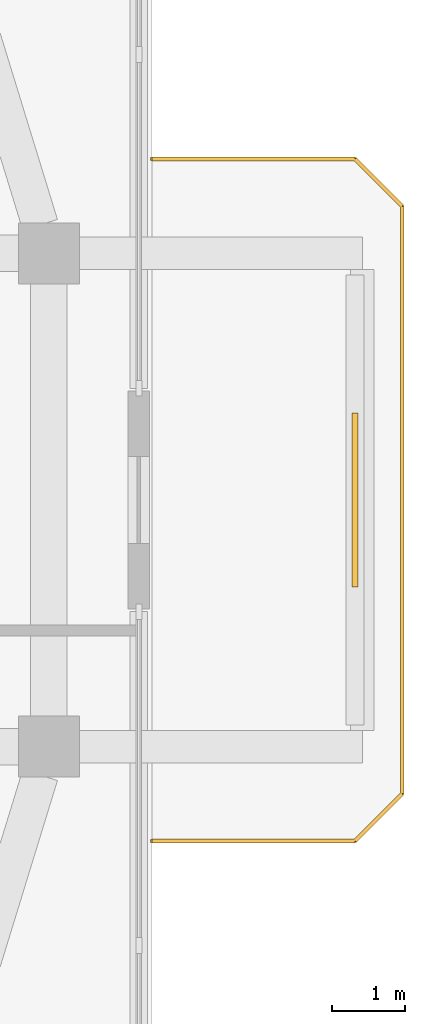
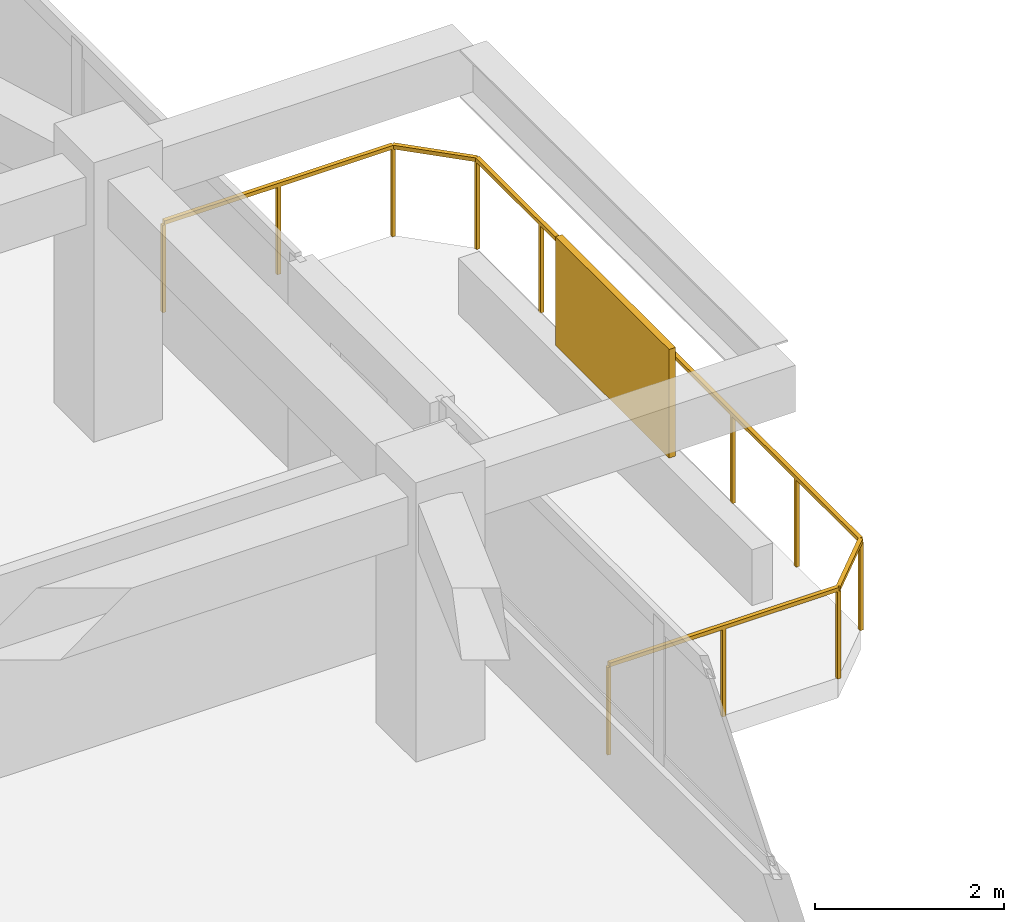
# One storey, part 13 of 13: 1 railing, 1 shading device.
"""IFC4 building model written with IfcOpenShell, lengths in metres."""

from ifc_helpers import new_model, si_unit, derived_unit, direction, frame, origin, origin_2d, place, context, subcontext, project, spatial, rectangle, extrude, material, layer, layer_set, type_object, element, save


model = new_model("IFC4")

# Units and contexts
model_context = context("Model", 3, precision=1e-05, world=origin(), true_north=direction((0.0, 1.0)))
body_context = subcontext(model_context, "Body", "Model", "MODEL_VIEW")
ifc_project = project(units=[si_unit("LENGTHUNIT", "METRE"), si_unit("AREAUNIT", "SQUARE_METRE"), si_unit("VOLUMEUNIT", "CUBIC_METRE"), si_unit("PLANEANGLEUNIT", "RADIAN"), si_unit("MASSUNIT", "GRAM", prefix="KILO"), derived_unit("THERMALTRANSMITTANCEUNIT", [(si_unit("POWERUNIT", "WATT"), 1), (si_unit("LENGTHUNIT", "METRE"), -2), (si_unit("THERMODYNAMICTEMPERATUREUNIT", "KELVIN"), -1)])], contexts=[model_context])

# Site, building, storey
site_placement = place(None, origin())
site = spatial("IfcSite", under=ifc_project, at=site_placement, CompositionType="ELEMENT")
building_placement = place(site_placement, origin())
building = spatial("IfcBuilding", under=site, at=building_placement, Name="Koralith Skygarden Medical Center", CompositionType="ELEMENT")
storey_placement = place(building_placement, frame((0.0, 0.0, 271.6201171875)))
storey = spatial("IfcBuildingStorey", under=building, at=storey_placement, Name="L70", CompositionType="ELEMENT", Elevation=271.6201171875)

# Railing
ifc_material_1 = material(Name="Steel ASTM A500 Grade C", Category="steel")
railing_type = type_object("IfcRailingType", Name="Outdoor Terrace & Balcony Safety Guardrail 1180", PredefinedType="GUARDRAIL", material=ifc_material_1)
railing_placement = place(storey_placement, frame((61.89990234375, 21.199951171875, 0.0)))
element("IfcRailing", 1, at=railing_placement, inside=storey, type_object=railing_type, Name="L70 E Balcony Perimeter Guardrail", PredefinedType="GUARDRAIL", context=body_context, shape_type="SweptSolid", body=[
    extrude(rectangle(XDim=0.050048828125, YDim=0.050048828125, at=origin_2d()), frame((0.001953125, 0.0, 1.15478515625), z_axis=(1.0, 0.0, 0.0), x_axis=(0.0, 1.0, 0.0)), (0.0, 0.0, 1.0), 2.796142578125),
    extrude(rectangle(XDim=0.050048828125, YDim=0.050048828125, at=origin_2d()), frame((2.801513671875, 0.00146484375, 1.15478515625), z_axis=(0.707106781187, 0.707106781187, 0.0), x_axis=(-0.707106781187, 0.707106781187, 0.0)), (0.0, 0.0, 1.0), 0.91552734375),
    extrude(rectangle(XDim=0.050048828125, YDim=0.050048828125, at=origin_2d()), frame((3.4501953125, 0.652099609375, 1.15478515625), z_axis=(0.0, 1.0, 0.0), x_axis=(-1.0, 0.0, 0.0)), (0.0, 0.0, 1.0), 8.095947265625),
    extrude(rectangle(XDim=0.050048828125, YDim=0.050048828125, at=origin_2d()), frame((3.44873046875, 8.75146484375, 1.15478515625), z_axis=(-0.707106781187, 0.707106781187, 0.0), x_axis=(-0.707106781187, -0.707106781187, 0.0)), (0.0, 0.0, 1.0), 0.91552734375),
    extrude(rectangle(XDim=0.050048828125, YDim=0.050048828125, at=origin_2d()), frame((2.798095703125, 9.400146484375, 1.15478515625), z_axis=(-1.0, 0.0, 0.0), x_axis=(0.0, -1.0, 0.0)), (0.0, 0.0, 1.0), 2.796142578125),
    extrude(rectangle(XDim=0.0419921875, YDim=0.0419921875, at=origin_2d()), origin(), (0.0, 0.0, 1.0), 1.1279296875),
    extrude(rectangle(XDim=0.0419921875, YDim=0.0419921875, at=origin_2d()), frame((1.39990234375, 0.0, 0.0)), (0.0, 0.0, 1.0), 1.1279296875),
    extrude(rectangle(XDim=0.0419921875, YDim=0.0419921875, at=origin_2d()), frame((2.800048828125, 0.0, 0.0)), (0.0, 0.0, 1.0), 1.1279296875),
    extrude(rectangle(XDim=0.0419921875, YDim=0.0419921875, at=origin_2d()), frame((3.4501953125, 0.650146484375, 0.0)), (0.0, 0.0, 1.0), 1.1279296875),
    extrude(rectangle(XDim=0.0419921875, YDim=0.0419921875, at=origin_2d()), frame((3.4501953125, 2.0, 0.0)), (0.0, 0.0, 1.0), 1.1279296875),
    extrude(rectangle(XDim=0.0419921875, YDim=0.0419921875, at=origin_2d()), frame((3.4501953125, 3.35009765625, 0.0)), (0.0, 0.0, 1.0), 1.1279296875),
    extrude(rectangle(XDim=0.0419921875, YDim=0.0419921875, at=origin_2d()), frame((3.4501953125, 4.7001953125, 0.0)), (0.0, 0.0, 1.0), 1.1279296875),
    extrude(rectangle(XDim=0.0419921875, YDim=0.0419921875, at=origin_2d()), frame((3.4501953125, 6.050048828125, 0.0)), (0.0, 0.0, 1.0), 1.1279296875),
    extrude(rectangle(XDim=0.0419921875, YDim=0.0419921875, at=origin_2d()), frame((3.4501953125, 7.39990234375, 0.0)), (0.0, 0.0, 1.0), 1.1279296875),
    extrude(rectangle(XDim=0.0419921875, YDim=0.0419921875, at=origin_2d()), frame((3.4501953125, 8.75, 0.0)), (0.0, 0.0, 1.0), 1.1279296875),
    extrude(rectangle(XDim=0.0419921875, YDim=0.0419921875, at=origin_2d()), frame((2.800048828125, 9.400146484375, 0.0)), (0.0, 0.0, 1.0), 1.1279296875),
    extrude(rectangle(XDim=0.0419921875, YDim=0.0419921875, at=origin_2d()), frame((1.39990234375, 9.400146484375, 0.0)), (0.0, 0.0, 1.0), 1.1279296875),
    extrude(rectangle(XDim=0.0419921875, YDim=0.0419921875, at=origin_2d()), frame((0.0, 9.400146484375, 0.0)), (0.0, 0.0, 1.0), 1.1279296875),
])

# Shading device
ifc_material_2 = material(Name="Aluminium 6063-T6", Category="aluminium")
ifc_layer = layer(ifc_material_2, 0.080078125)
ifc_layer_set = layer_set([ifc_layer], Name="Aluminium 6063-T6")
shading_device_type = type_object("IfcShadingDeviceType", Name="Perforated Biophilic Balcony Trellis Screen", PredefinedType="USERDEFINED", material=ifc_layer_set)
shading_device_placement = place(storey_placement, frame((64.699951171875, 25.89990234375, 0.719970703125), z_axis=(0.0, 0.0, 1.0), x_axis=(0.0, 1.0, 0.0)))
element("IfcShadingDevice", 2, at=shading_device_placement, inside=storey, type_object=shading_device_type, Name="L70 E Biophilic Balcony Trellis Screen", ObjectType="HURRICANE SCREEN", PredefinedType="USERDEFINED", context=body_context, shape_type="SweptSolid", body=[
    extrude(rectangle(XDim=2.39990234375, YDim=0.080078125, at=origin_2d()), origin(), (0.0, 0.0, 1.0), 1.39990234375),
])

save(model, "model.ifc")
